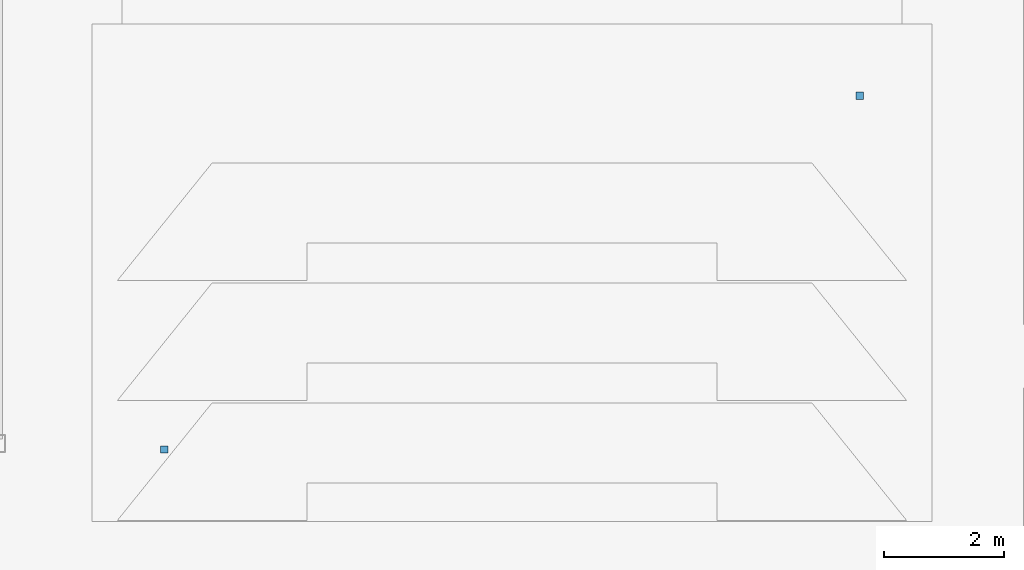
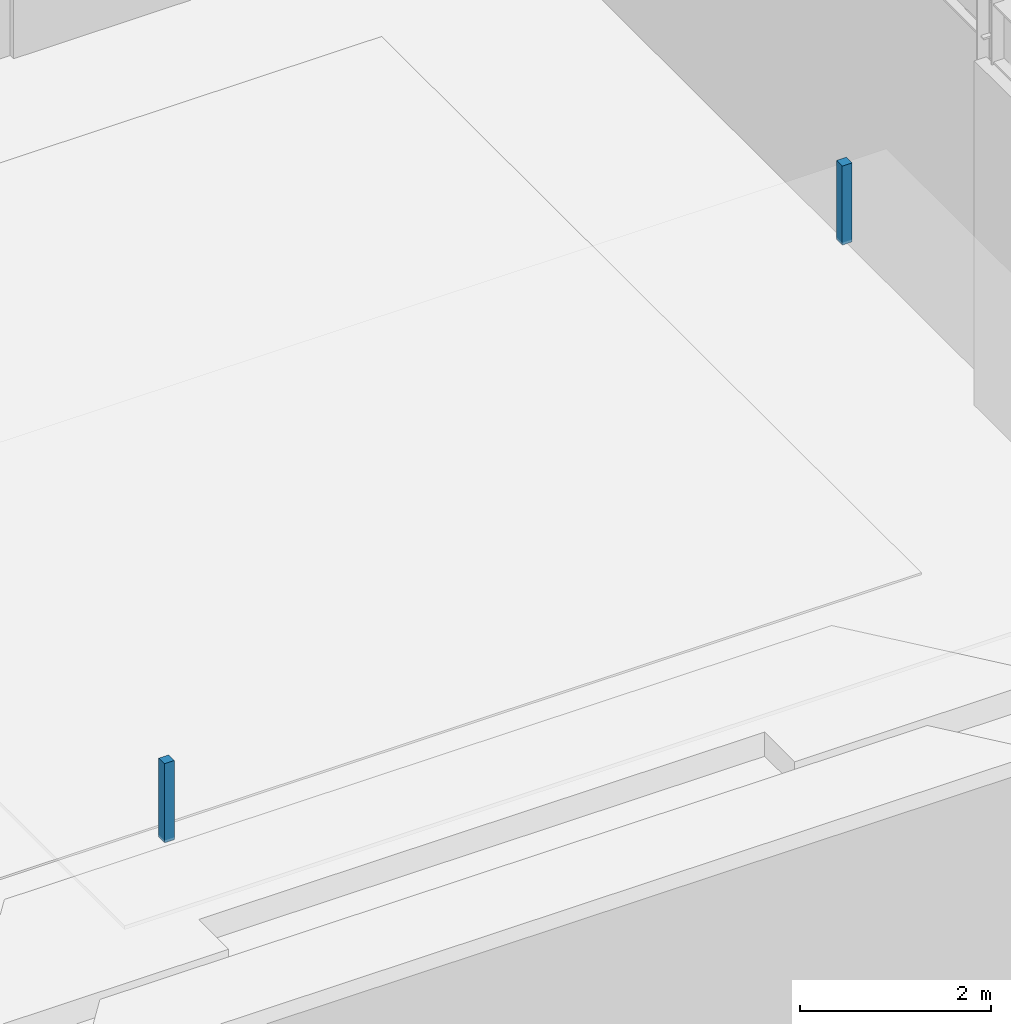
# One storey, part 75 of 87: 2 discrete accessories.
"""IFC4 building model written with IfcOpenShell, lengths in metres."""

from ifc_helpers import new_model, si_unit, direction, frame, origin, origin_2d, place, context, subcontext, project, spatial, rectangle, extrude, material, type_object, element, save


model = new_model("IFC4")

# Units and contexts
model_context = context("Model", 3, precision=1e-05, world=origin(), true_north=direction((0.0, 1.0)))
body_context = subcontext(model_context, "Body", "Model", "MODEL_VIEW")
ifc_project = project(units=[si_unit("LENGTHUNIT", "METRE"), si_unit("AREAUNIT", "SQUARE_METRE"), si_unit("VOLUMEUNIT", "CUBIC_METRE"), si_unit("PLANEANGLEUNIT", "RADIAN"), si_unit("MASSUNIT", "GRAM", prefix="KILO")], contexts=[model_context])

# Site, building, storey
site_placement = place(None, origin())
site = spatial("IfcSite", under=ifc_project, at=site_placement, CompositionType="ELEMENT")
building_placement = place(site_placement, origin())
building = spatial("IfcBuilding", under=site, at=building_placement, Name="Selat Folded Stagehouse", CompositionType="ELEMENT")
storey_placement = place(building_placement, origin())
storey = spatial("IfcBuildingStorey", under=building, at=storey_placement, Name="L00", CompositionType="ELEMENT", Elevation=0.0)

# Discrete accessories
ifc_material = material(Name="Galvanised steel acoustic hanger rod", Category="steel")
discrete_accessory_type = type_object("IfcDiscreteAccessoryType", Name="ACC-HGR-1010", PredefinedType="BRACKET", material=ifc_material)
for number, where, z_axis, x_axis, name in (
    (1, (137.199951171875, 7.699951171875, 4.27001953125), (0.0, 0.0, 1.0), (1.0, 0.0, 0.0), "L00 acoustic ceiling hanger CLG-L00-STU-1"),
    (2, (148.800048828125, 13.60009765625, 4.27001953125), (0.0, 0.0, 1.0), (1.0, 0.0, 0.0), "L00 acoustic ceiling hanger CLG-L00-STU-2"),
):
    element("IfcDiscreteAccessory", number, at=place(storey_placement, frame(where, z_axis=z_axis, x_axis=x_axis)), inside=storey, type_object=discrete_accessory_type, Name=name, PredefinedType="BRACKET", context=body_context, shape_type="SweptSolid", body=[
        extrude(rectangle(XDim=0.1201171875, YDim=0.1201171875, at=origin_2d()), origin(), (0.0, 0.0, 1.0), 1.010009765625),
    ])

save(model, "model.ifc")
